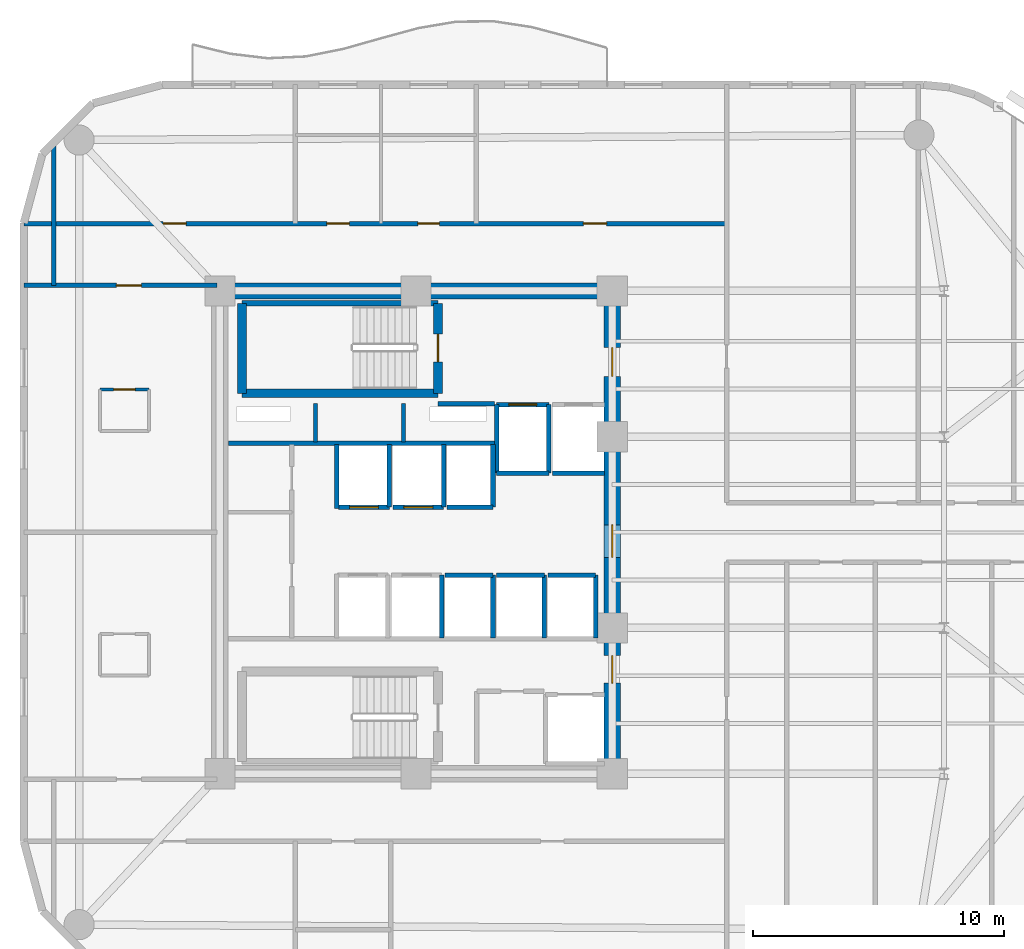
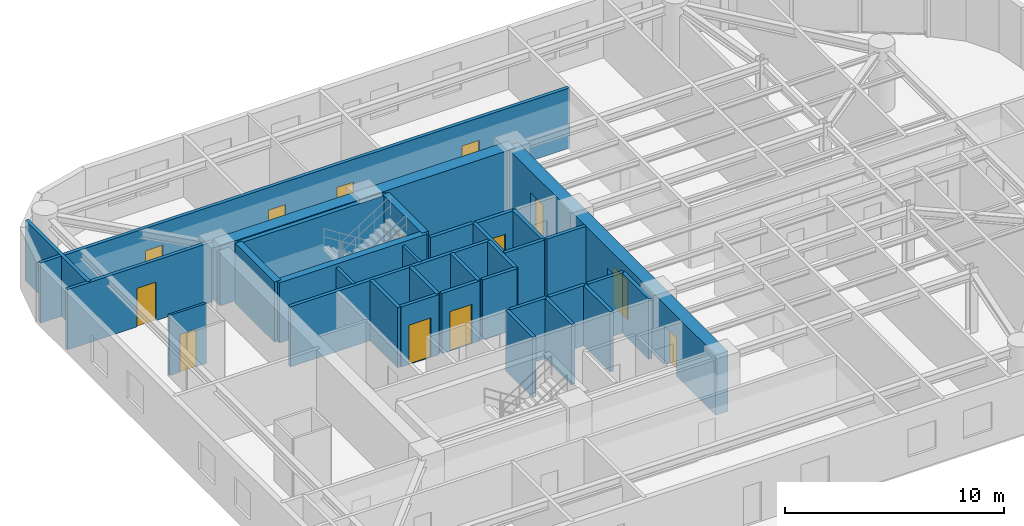
# One storey, part 11 of 15: 33 walls, 13 doors, 13 openings.
"""IFC4 building model written with IfcOpenShell, lengths in metres."""

import ifcopenshell
import ifcopenshell.guid

model = None  # the IFC model being written
_history = None  # IfcOwnerHistory: only IFC2X3 demands one
_inside = {}  # id of a spatial element -> (the spatial element, [elements in it])
_under = {}  # id of a project, library or spatial element -> (it, [spatial elements below it])
_declared = {}  # id of a project -> (the project, [libraries it declares])
_typed = {}  # id of a type object -> (the type object, [elements of that type])
_made_of = {}  # id of a material, layer set ... -> (it, [elements and type objects made of it])


def new_model(schema):
    """Start an empty IFC model of exactly this schema.

    Asked for "IFC4X3", IfcOpenShell would pick the latest addendum, in which some entities
    have other attributes; the version numbers below select the first issue.
    IFC2X3 requires an IfcOwnerHistory on every rooted entity: one is made here for all.
    """
    global model, _history
    if schema == "IFC4X3":
        model = ifcopenshell.file(schema_version=(4, 3, 0, 0))
    else:
        model = ifcopenshell.file(schema=schema)
    _inside.clear()
    _under.clear()
    _declared.clear()
    _typed.clear()
    _made_of.clear()
    _history = None
    if model.schema == "IFC2X3":
        org = make("IfcOrganization", Name="unknown")
        user = make(
            "IfcPersonAndOrganization",
            ThePerson=make("IfcPerson", FamilyName="unknown"),
            TheOrganization=org,
        )
        app = make(
            "IfcApplication",
            ApplicationDeveloper=org,
            Version="unknown",
            ApplicationFullName="unknown",
            ApplicationIdentifier="unknown",
        )
        _history = make(
            "IfcOwnerHistory",
            OwningUser=user,
            OwningApplication=app,
            ChangeAction="ADDED",
            CreationDate=0,
        )
    return model


def make(cls, **values):
    """One entity of the class cls with the attributes given. An attribute that is None is left unset."""
    return model.create_entity(
        cls, **{name: value for name, value in values.items() if value is not None}
    )


def rooted(cls, **values):
    """An entity with a GlobalId (a new one), such as an element, a storey or a relation."""
    return make(cls, GlobalId=ifcopenshell.guid.new(), OwnerHistory=_history, **values)


def si_unit(unit_type, name, prefix=None):
    """IfcSIUnit, for example si_unit("LENGTHUNIT", "METRE", prefix="MILLI")."""
    return make("IfcSIUnit", UnitType=unit_type, Prefix=prefix, Name=name)


def assignment(units):
    """IfcUnitAssignment: the units of a project."""
    return None if units is None else make("IfcUnitAssignment", Units=units)


def point(xyz):
    """IfcCartesianPoint."""
    return None if xyz is None else make("IfcCartesianPoint", Coordinates=xyz)


def direction(xyz):
    """IfcDirection."""
    return None if xyz is None else make("IfcDirection", DirectionRatios=xyz)


def frame(location, z_axis=None, x_axis=None):
    """IfcAxis2Placement3D, a coordinate frame: its origin and axes. An axis left out is left unset."""
    return make(
        "IfcAxis2Placement3D",
        Location=point(location),
        Axis=direction(z_axis),
        RefDirection=direction(x_axis),
    )


def frame_2d(location, x_axis=None):
    """IfcAxis2Placement2D, a coordinate frame in the plane: its origin and x axis."""
    return make(
        "IfcAxis2Placement2D", Location=point(location), RefDirection=direction(x_axis)
    )


def origin():
    """The frame at (0, 0, 0) with its axes left unset."""
    return frame((0.0, 0.0, 0.0))


def place(relative_to, where):
    """IfcLocalPlacement: puts the frame where relative to a parent placement (None: the world)."""
    return make(
        "IfcLocalPlacement", PlacementRelTo=relative_to, RelativePlacement=where
    )


def context(
    kind, dimensions, precision=None, world=None, true_north=None, identifier=None
):
    """IfcGeometricRepresentationContext, for example the 3D "Model" context."""
    return make(
        "IfcGeometricRepresentationContext",
        ContextIdentifier=identifier,
        ContextType=kind,
        CoordinateSpaceDimension=dimensions,
        Precision=precision,
        WorldCoordinateSystem=world,
        TrueNorth=true_north,
    )


def subcontext(parent, identifier, kind, view, scale=None):
    """IfcGeometricRepresentationSubContext, for example "Body" below "Model"."""
    return make(
        "IfcGeometricRepresentationSubContext",
        ContextIdentifier=identifier,
        ContextType=kind,
        ParentContext=parent,
        TargetScale=scale,
        TargetView=view,
    )


def project(units=None, contexts=None):
    """IfcProject with its units and contexts."""
    return rooted(
        "IfcProject",
        Name="project",
        RepresentationContexts=contexts,
        UnitsInContext=assignment(units),
    )


def spatial(cls, under=None, at=None, **own):
    """A site, building, storey or space (cls), placed at a placement, below another one or the project."""
    s = rooted(cls, ObjectPlacement=at, **own)
    if under is not None:
        _under.setdefault(under.id(), (under, []))[1].append(s)
    return s


def profile(cls, at=None, kind="AREA", **sizes):
    """A parametric profile (cls). Its sizes go by their IFC names, for example OverallWidth=200.0."""
    return make(cls, ProfileType=kind, Position=at, **sizes)


def rectangle(**sizes):
    """IfcRectangleProfileDef."""
    return profile("IfcRectangleProfileDef", **sizes)


def extrude(swept, where, along, depth):
    """IfcExtrudedAreaSolid: the profile swept, set in the frame where, extruded along a direction by depth."""
    return make(
        "IfcExtrudedAreaSolid",
        SweptArea=swept,
        Position=where,
        ExtrudedDirection=direction(along),
        Depth=depth,
    )


def shape(context_of_items, identifier, shape_type, items):
    """IfcShapeRepresentation: the items that make up one representation, for example the "Body"."""
    return make(
        "IfcShapeRepresentation",
        ContextOfItems=context_of_items,
        RepresentationIdentifier=identifier,
        RepresentationType=shape_type,
        Items=items,
    )


def material(Name=None, Category=None):
    """IfcMaterial."""
    return make("IfcMaterial", Name=Name, Category=Category)


def layer(
    of_material, thickness, ventilated=None, Name=None, Category=None, Priority=None
):
    """IfcMaterialLayer: one layer of a wall or slab, of a material (None: an air gap)."""
    return make(
        "IfcMaterialLayer",
        Material=of_material,
        LayerThickness=thickness,
        IsVentilated=ventilated,
        Name=Name,
        Category=Category,
        Priority=Priority,
    )


def layer_set(layers, Name=None):
    """IfcMaterialLayerSet."""
    return make("IfcMaterialLayerSet", MaterialLayers=layers, LayerSetName=Name)


def made_of(thing, what):
    """Note that an element or type object is made of a material, layer set ...; save() writes the relation."""
    if what is not None:
        _made_of.setdefault(what.id(), (what, []))[1].append(thing)
    return thing


def type_object(cls, material=None, **own):
    """A type object (cls), such as IfcWallType, which elements share."""
    return made_of(rooted(cls, **own), material)


def element(
    cls,
    number,
    at=None,
    inside=None,
    cuts=None,
    type_object=None,
    material=None,
    context=None,
    identifier="Body",
    shape_type=None,
    held_by="IfcProductDefinitionShape",
    body=None,
    shapes=None,
    **own,
):
    """One element of the class cls, such as IfcWall. Its Tag is "e" and its number.

    at: its placement. inside: the storey or other place that contains it. cuts: it is an
    opening in that element (IfcRelVoidsElement). A single representation is given by context,
    identifier, shape_type and body (its items); several are given by shapes. held_by: the class
    of the entity that holds the representations. save() writes the other relations.
    """
    e = rooted(cls, Tag="e%d" % number, ObjectPlacement=at, **own)
    if body is not None:
        shapes = [shape(context, identifier, shape_type, body)]
    if shapes is not None:
        e.Representation = make(held_by, Representations=shapes)
    if inside is not None:
        _inside.setdefault(inside.id(), (inside, []))[1].append(e)
    if cuts is not None:
        rooted(
            "IfcRelVoidsElement", RelatingBuildingElement=cuts, RelatedOpeningElement=e
        )
    if type_object is not None:
        _typed.setdefault(type_object.id(), (type_object, []))[1].append(e)
    return made_of(e, material)


def fill(opening, filler):
    """IfcRelFillsElement: the door or window that sits in an opening."""
    return rooted(
        "IfcRelFillsElement",
        RelatingOpeningElement=opening,
        RelatedBuildingElement=filler,
    )


def aggregate(whole, parts):
    """IfcRelAggregates: a whole, such as a stair, and the parts it consists of."""
    return rooted("IfcRelAggregates", RelatingObject=whole, RelatedObjects=parts)


def save(model, path):
    """Write the relations noted so far, then the file.

    IfcRelAggregates (storeys below a building ...), IfcRelContainedInSpatialStructure (elements
    in a storey), IfcRelDefinesByType, IfcRelAssociatesMaterial and IfcRelDeclares: one each for
    every whole, place, type object, material and project.
    """
    for whole, parts in _under.values():
        aggregate(whole, parts)
    for where, things in _inside.values():
        rooted(
            "IfcRelContainedInSpatialStructure",
            RelatedElements=things,
            RelatingStructure=where,
        )
    for kind, things in _typed.values():
        rooted("IfcRelDefinesByType", RelatedObjects=things, RelatingType=kind)
    for what, things in _made_of.values():
        rooted("IfcRelAssociatesMaterial", RelatedObjects=things, RelatingMaterial=what)
    for by, libraries in _declared.values():
        rooted("IfcRelDeclares", RelatingContext=by, RelatedDefinitions=libraries)
    model.write(path)


model = new_model("IFC4")

# Units and contexts
model_context = context("Model", 3, precision=1e-05, world=origin(), true_north=direction((0.0, 1.0)))
body_context = subcontext(model_context, "Body", "Model", "MODEL_VIEW")
ifc_project = project(units=[si_unit("LENGTHUNIT", "METRE"), si_unit("AREAUNIT", "SQUARE_METRE"), si_unit("VOLUMEUNIT", "CUBIC_METRE"), si_unit("PLANEANGLEUNIT", "RADIAN"), si_unit("MASSUNIT", "GRAM", prefix="KILO")], contexts=[model_context])

# Site, building, storey
site_placement = place(None, origin())
site = spatial("IfcSite", under=ifc_project, at=site_placement, CompositionType="ELEMENT")
building_placement = place(site_placement, origin())
building = spatial("IfcBuilding", under=site, at=building_placement, Name="An Khanh Terracotta Commons", CompositionType="ELEMENT")
storey_placement = place(building_placement, frame((0.0, 0.0, 187.0)))
storey = spatial("IfcBuildingStorey", under=building, at=storey_placement, Name="L49", CompositionType="ELEMENT", Elevation=187.0)

# Wall
ifc_material_1 = material(Name="Concrete C60/75", Category="concrete")
ifc_layer_1 = layer(ifc_material_1, 0.64990234375, Name="Concrete C60/75")
ifc_layer_set_1 = layer_set([ifc_layer_1], Name="Concrete C60/75")
wall_type_1 = type_object("IfcWallType", Name="WALL-CORE-650", PredefinedType="SHEAR", material=ifc_layer_set_1)
wall_1_placement = place(storey_placement, frame((21.60009765625, 33.60009765625, 0.0), z_axis=(0.0, 0.0, 1.0), x_axis=(1.0, 0.0, 0.0)))
element("IfcWall", 1, at=wall_1_placement, inside=storey, type_object=wall_type_1, Name="L49 Core Wall CWALL-L49-N", PredefinedType="SHEAR", context=body_context, shape_type="SweptSolid", body=[
    extrude(rectangle(XDim=15.599853515625, YDim=0.64990234375, at=frame_2d((7.7998046875, 0.0))), origin(), (0.0, 0.0, 1.0), 3.360107421875),
])

# Wall, openings, doors
wall_2_placement = place(storey_placement, frame((37.199951171875, 14.39990234375, 0.0), z_axis=(0.0, 0.0, 1.0), x_axis=(0.0, 1.0, 0.0)))
wall_2 = element("IfcWall", 2, at=wall_2_placement, inside=storey, type_object=wall_type_1, Name="L49 Core Wall CWALL-L49-E", PredefinedType="SHEAR", context=body_context, shape_type="SweptSolid", body=[
    extrude(rectangle(XDim=19.2001953125, YDim=0.64990234375, at=frame_2d((9.60009765625, 0.0))), origin(), (0.0, 0.0, 1.0), 3.360107421875),
])
opening_1_placement = place(wall_2_placement, frame((15.800048828125, 0.0, 0.0)))
opening_1 = element("IfcOpeningElement", 3, at=opening_1_placement, cuts=wall_2, Name="Opening D-FFL", PredefinedType="OPENING", context=body_context, shape_type="SweptSolid", body=[
    extrude(rectangle(XDim=1.14990234375, YDim=2.14990234375, at=frame_2d((0.574951171875, 1.074951171875))), frame((0.0, 0.3349609375, 0.0), z_axis=(0.0, -1.0, 0.0), x_axis=(1.0, 0.0, 0.0)), (0.0, 0.0, 1.0), 0.669921875),
])
opening_2_placement = place(wall_2_placement, frame((3.60009765625, 0.0, 0.0)))
opening_2 = element("IfcOpeningElement", 4, at=opening_2_placement, cuts=wall_2, Name="Opening D-ST", PredefinedType="OPENING", context=body_context, shape_type="SweptSolid", body=[
    extrude(rectangle(XDim=1.10009765625, YDim=2.14990234375, at=frame_2d((0.550048828125, 1.074951171875))), frame((0.0, 0.3349609375, 0.0), z_axis=(0.0, -1.0, 0.0), x_axis=(1.0, 0.0, 0.0)), (0.0, 0.0, 1.0), 0.669921875),
])
opening_3_placement = place(wall_2_placement, frame((8.60009765625, 0.0, 0.0)))
opening_3 = element("IfcOpeningElement", 5, at=opening_3_placement, cuts=wall_2, Name="Opening D-COR", PredefinedType="OPENING", context=body_context, shape_type="SweptSolid", body=[
    extrude(rectangle(XDim=1.300048828125, YDim=2.199951171875, at=frame_2d((0.64990234375, 1.10009765625))), frame((0.0, 0.3349609375, 0.0), z_axis=(0.0, -1.0, 0.0), x_axis=(1.0, 0.0, 0.0)), (0.0, 0.0, 1.0), 0.669921875),
])
ifc_material_2 = material(Name="Fire-Rated Glazed Steel Double Door", Category="steel")
door_type_1 = type_object("IfcDoorType", Name="DOOR-CORR-1300", OperationType="NOTDEFINED", PredefinedType="DOOR", material=ifc_material_2)
door_1_placement = place(opening_3_placement, origin())
door_1 = element("IfcDoor", 6, at=door_1_placement, inside=storey, type_object=door_type_1, Name="L49 Passenger Lift Lobby Double Door", OperationType="DOUBLE_DOOR_SINGLE_SWING", OverallHeight=2.199951171875, OverallWidth=1.300048828125, PredefinedType="DOOR", context=body_context, shape_type="SweptSolid", body=[
    extrude(rectangle(XDim=1.300048828125, YDim=2.199951171875, at=frame_2d((0.64990234375, 1.10009765625))), frame((0.0, 0.02490234375, 0.0), z_axis=(0.0, -1.0, 0.0), x_axis=(1.0, 0.0, 0.0)), (0.0, 0.0, 1.0), 0.050048828125),
])
fill(opening_3, door_1)
ifc_material_3 = material(Name="Fire-Rated Steel Leaf and Vision Panel", Category="steel")
door_type_2 = type_object("IfcDoorType", Name="DOOR-FFL-1150", OperationType="NOTDEFINED", PredefinedType="DOOR", material=ifc_material_3)
door_2_placement = place(opening_1_placement, origin())
door_2 = element("IfcDoor", 7, at=door_2_placement, inside=storey, type_object=door_type_2, Name="L49 Firefighting Lift Lobby Fire Door", OperationType="SINGLE_SWING_RIGHT", OverallHeight=2.14990234375, OverallWidth=1.14990234375, PredefinedType="DOOR", context=body_context, shape_type="SweptSolid", body=[
    extrude(rectangle(XDim=1.14990234375, YDim=2.14990234375, at=frame_2d((0.574951171875, 1.074951171875))), frame((0.0, 0.02490234375, 0.0), z_axis=(0.0, -1.0, 0.0), x_axis=(1.0, 0.0, 0.0)), (0.0, 0.0, 1.0), 0.050048828125),
])
fill(opening_1, door_2)
ifc_material_4 = material(Name="Fire-Rated Steel Leaf and Frame", Category="steel")
door_type_3 = type_object("IfcDoorType", Name="DOOR-STAIR-1100", OperationType="NOTDEFINED", PredefinedType="DOOR", material=ifc_material_4)
door_3_placement = place(opening_2_placement, origin())
door_3 = element("IfcDoor", 8, at=door_3_placement, inside=storey, type_object=door_type_3, Name="L49 South Stair Lobby Fire Door", OperationType="SINGLE_SWING_LEFT", OverallHeight=2.14990234375, OverallWidth=1.10009765625, PredefinedType="DOOR", context=body_context, shape_type="SweptSolid", body=[
    extrude(rectangle(XDim=1.10009765625, YDim=2.14990234375, at=frame_2d((0.550048828125, 1.074951171875))), frame((0.0, 0.02490234375, 0.0), z_axis=(0.0, -1.0, 0.0), x_axis=(1.0, 0.0, 0.0)), (0.0, 0.0, 1.0), 0.050048828125),
])
fill(opening_2, door_3)

# Walls
ifc_material_5 = material(Name="Fire-Rated Gypsum Board on Steel Stud", Category="steel")
ifc_layer_2 = layer(ifc_material_5, 0.179931640625, Name="Fire-Rated Gypsum Board on Steel Stud")
ifc_layer_set_2 = layer_set([ifc_layer_2], Name="Fire-Rated Gypsum Board on Steel Stud")
wall_type_2 = type_object("IfcWallType", Name="WALL-CORR-180", PredefinedType="PARTITIONING", material=ifc_layer_set_2)
wall_3_placement = place(storey_placement, frame((30.27001953125, 29.1201171875, 0.0), z_axis=(0.0, 0.0, 1.0), x_axis=(1.0, 0.0, 0.0)))
element("IfcWall", 9, at=wall_3_placement, inside=storey, type_object=wall_type_2, Name="L49 Core Wall FFLW-L49-S", PredefinedType="PARTITIONING", context=body_context, shape_type="SweptSolid", body=[
    extrude(rectangle(XDim=2.239990234375, YDim=0.179931640625, at=frame_2d((1.1201171875, 0.0))), origin(), (0.0, 0.0, 1.0), 3.360107421875),
])
wall_4_placement = place(storey_placement, frame((21.949951171875, 27.5400390625, 0.0), z_axis=(0.0, 0.0, 1.0), x_axis=(1.0, 0.0, 0.0)))
element("IfcWall", 10, at=wall_4_placement, inside=storey, type_object=wall_type_2, Name="L49 Core Wall RSRW-L49-S", PredefinedType="PARTITIONING", context=body_context, shape_type="SweptSolid", body=[
    extrude(rectangle(XDim=10.56005859375, YDim=0.179931640625, at=frame_2d((5.280029296875, 0.0))), origin(), (0.0, 0.0, 1.0), 3.360107421875),
])

# Wall, opening, door
wall_5_placement = place(storey_placement, frame((32.60009765625, 29.080078125, 0.0), z_axis=(0.0, 0.0, 1.0), x_axis=(1.0, 0.0, 0.0)))
wall_5 = element("IfcWall", 11, at=wall_5_placement, inside=storey, type_object=wall_type_2, Name="L49 Core Wall LSH-L49-FFL-01-N", PredefinedType="PARTITIONING", context=body_context, shape_type="SweptSolid", body=[
    extrude(rectangle(XDim=2.079833984375, YDim=0.179931640625, at=frame_2d((1.0400390625, 0.0))), origin(), (0.0, 0.0, 1.0), 3.360107421875),
])
opening_4_placement = place(wall_5_placement, frame((0.489990234375, 0.0, 0.0)))
opening_4 = element("IfcOpeningElement", 12, at=opening_4_placement, cuts=wall_5, Name="Opening LD-FFL-01-L49", PredefinedType="OPENING", context=body_context, shape_type="SweptSolid", body=[
    extrude(rectangle(XDim=1.10009765625, YDim=2.199951171875, at=frame_2d((0.550048828125, 1.10009765625))), frame((0.0, 0.099853515625, 0.0), z_axis=(0.0, -1.0, 0.0), x_axis=(1.0, 0.0, 0.0)), (0.0, 0.0, 1.0), 0.199951171875),
])
ifc_material_6 = material(Name="Brushed Stainless Steel Fire Landing Door", Category="steel")
door_type_4 = type_object("IfcDoorType", Name="DOOR-LD-FFL-1100", OperationType="NOTDEFINED", PredefinedType="DOOR", material=ifc_material_6)
door_4_placement = place(opening_4_placement, origin())
door_4 = element("IfcDoor", 13, at=door_4_placement, inside=storey, type_object=door_type_4, Name="L49 Lift FFL-01 Sliding Landing Door", OperationType="DOUBLE_DOOR_SLIDING", OverallHeight=2.199951171875, OverallWidth=1.10009765625, PredefinedType="DOOR", context=body_context, shape_type="SweptSolid", body=[
    extrude(rectangle(XDim=1.10009765625, YDim=2.199951171875, at=frame_2d((0.550048828125, 1.10009765625))), frame((0.0, 0.02490234375, 0.0), z_axis=(0.0, -1.0, 0.0), x_axis=(1.0, 0.0, 0.0)), (0.0, 0.0, 1.0), 0.050048828125),
])
fill(opening_4, door_4)

# Walls
wall_6_placement = place(storey_placement, frame((34.679931640625, 26.35009765625, 0.0), z_axis=(0.0, 0.0, 1.0), x_axis=(-1.0, 0.0, 0.0)))
element("IfcWall", 14, at=wall_6_placement, inside=storey, type_object=wall_type_2, Name="L49 Core Wall LSH-L49-FFL-01-S", PredefinedType="PARTITIONING", context=body_context, shape_type="SweptSolid", body=[
    extrude(rectangle(XDim=2.079833984375, YDim=0.179931640625, at=frame_2d((1.0400390625, 0.0))), origin(), (0.0, 0.0, 1.0), 3.360107421875),
])
for number, where, z_axis, x_axis, name in (
    (15, (34.679931640625, 26.35009765625, 0.0), (0.0, 0.0, 1.0), (0.0, 1.0, 0.0), "L49 Core Wall LSH-L49-FFL-01-E"),
    (16, (32.60009765625, 29.080078125, 0.0), (0.0, 0.0, 1.0), (0.0, -1.0, 0.0), "L49 Core Wall LSH-L49-FFL-01-W"),
):
    element("IfcWall", number, at=place(storey_placement, frame(where, z_axis=z_axis, x_axis=x_axis)), inside=storey, type_object=wall_type_2, Name=name, PredefinedType="PARTITIONING", context=body_context, shape_type="SweptSolid", body=[
        extrude(rectangle(XDim=2.72998046875, YDim=0.179931640625, at=frame_2d((1.364990234375, 0.0))), origin(), (0.0, 0.0, 1.0), 3.360107421875),
    ])
wall_7_placement = place(storey_placement, frame((36.89990234375, 26.35009765625, 0.0), z_axis=(0.0, 0.0, 1.0), x_axis=(-1.0, 0.0, 0.0)))
element("IfcWall", 17, at=wall_7_placement, inside=storey, type_object=wall_type_2, Name="L49 Core Wall LSH-L49-FFL-02-S", PredefinedType="PARTITIONING", context=body_context, shape_type="SweptSolid", body=[
    extrude(rectangle(XDim=2.079833984375, YDim=0.179931640625, at=frame_2d((1.0400390625, 0.0))), origin(), (0.0, 0.0, 1.0), 3.360107421875),
])

# Wall, opening, door
wall_8_placement = place(storey_placement, frame((28.340087890625, 25.0, 0.0), z_axis=(0.0, 0.0, 1.0), x_axis=(-1.0, 0.0, 0.0)))
wall_8 = element("IfcWall", 18, at=wall_8_placement, inside=storey, type_object=wall_type_2, Name="L49 Core Wall LSH-L49-PL-M1-S", PredefinedType="PARTITIONING", context=body_context, shape_type="SweptSolid", body=[
    extrude(rectangle(XDim=2.02001953125, YDim=0.179931640625, at=frame_2d((1.010009765625, 0.0))), origin(), (0.0, 0.0, 1.0), 3.360107421875),
])
opening_5_placement = place(wall_8_placement, frame((0.43505859375, 0.0, 0.0)))
opening_5 = element("IfcOpeningElement", 19, at=opening_5_placement, cuts=wall_8, Name="Opening LD-PL-M1-L49", PredefinedType="OPENING", context=body_context, shape_type="SweptSolid", body=[
    extrude(rectangle(XDim=1.14990234375, YDim=2.199951171875, at=frame_2d((0.574951171875, 1.10009765625))), frame((0.0, 0.099853515625, 0.0), z_axis=(0.0, -1.0, 0.0), x_axis=(1.0, 0.0, 0.0)), (0.0, 0.0, 1.0), 0.199951171875),
])
ifc_material_7 = material(Name="Brushed Stainless Steel Passenger Landing Door", Category="steel")
door_type_5 = type_object("IfcDoorType", Name="DOOR-LD-PAX-1150", OperationType="NOTDEFINED", PredefinedType="DOOR", material=ifc_material_7)
door_5_placement = place(opening_5_placement, origin())
door_5 = element("IfcDoor", 20, at=door_5_placement, inside=storey, type_object=door_type_5, Name="L49 Lift PL-M1 Sliding Landing Door", OperationType="DOUBLE_DOOR_SLIDING", OverallHeight=2.199951171875, OverallWidth=1.14990234375, PredefinedType="DOOR", context=body_context, shape_type="SweptSolid", body=[
    extrude(rectangle(XDim=1.14990234375, YDim=2.199951171875, at=frame_2d((0.574951171875, 1.10009765625))), frame((0.0, 0.02490234375, 0.0), z_axis=(0.0, -1.0, 0.0), x_axis=(1.0, 0.0, 0.0)), (0.0, 0.0, 1.0), 0.050048828125),
])
fill(opening_5, door_5)

# Wall
wall_9_placement = place(storey_placement, frame((28.340087890625, 25.0, 0.0), z_axis=(0.0, 0.0, 1.0), x_axis=(0.0, 1.0, 0.0)))
element("IfcWall", 21, at=wall_9_placement, inside=storey, type_object=wall_type_2, Name="L49 Core Wall LSH-L49-PL-M1-E", PredefinedType="PARTITIONING", context=body_context, shape_type="SweptSolid", body=[
    extrude(rectangle(XDim=2.5, YDim=0.179931640625, at=frame_2d((1.25, 0.0))), origin(), (0.0, 0.0, 1.0), 3.360107421875),
])

# Wall, opening, door
wall_10_placement = place(storey_placement, frame((30.5, 25.0, 0.0), z_axis=(0.0, 0.0, 1.0), x_axis=(-1.0, 0.0, 0.0)))
wall_10 = element("IfcWall", 22, at=wall_10_placement, inside=storey, type_object=wall_type_2, Name="L49 Core Wall LSH-L49-PL-M2-S", PredefinedType="PARTITIONING", context=body_context, shape_type="SweptSolid", body=[
    extrude(rectangle(XDim=2.02001953125, YDim=0.179931640625, at=frame_2d((1.010009765625, 0.0))), origin(), (0.0, 0.0, 1.0), 3.360107421875),
])
opening_6_placement = place(wall_10_placement, frame((0.43505859375, 0.0, 0.0)))
opening_6 = element("IfcOpeningElement", 23, at=opening_6_placement, cuts=wall_10, Name="Opening LD-PL-M2-L49", PredefinedType="OPENING", context=body_context, shape_type="SweptSolid", body=[
    extrude(rectangle(XDim=1.14990234375, YDim=2.199951171875, at=frame_2d((0.574951171875, 1.10009765625))), frame((0.0, 0.099853515625, 0.0), z_axis=(0.0, -1.0, 0.0), x_axis=(1.0, 0.0, 0.0)), (0.0, 0.0, 1.0), 0.199951171875),
])
door_6_placement = place(opening_6_placement, origin())
door_6 = element("IfcDoor", 24, at=door_6_placement, inside=storey, type_object=door_type_5, Name="L49 Lift PL-M2 Sliding Landing Door", OperationType="DOUBLE_DOOR_SLIDING", OverallHeight=2.199951171875, OverallWidth=1.14990234375, PredefinedType="DOOR", context=body_context, shape_type="SweptSolid", body=[
    extrude(rectangle(XDim=1.14990234375, YDim=2.199951171875, at=frame_2d((0.574951171875, 1.10009765625))), frame((0.0, 0.02490234375, 0.0), z_axis=(0.0, -1.0, 0.0), x_axis=(1.0, 0.0, 0.0)), (0.0, 0.0, 1.0), 0.050048828125),
])
fill(opening_6, door_6)

# Walls
for number, where, z_axis, x_axis, name in (
    (25, (30.5, 25.0, 0.0), (0.0, 0.0, 1.0), (0.0, 1.0, 0.0), "L49 Core Wall LSH-L49-PL-M2-E"),
    (26, (30.419921875, 19.800048828125, 0.0), (0.0, 0.0, 1.0), (0.0, 1.0, 0.0), "L49 Core Wall LSH-L49-PL-M4-E"),
):
    element("IfcWall", number, at=place(storey_placement, frame(where, z_axis=z_axis, x_axis=x_axis)), inside=storey, type_object=wall_type_2, Name=name, PredefinedType="PARTITIONING", context=body_context, shape_type="SweptSolid", body=[
        extrude(rectangle(XDim=2.5, YDim=0.179931640625, at=frame_2d((1.25, 0.0))), origin(), (0.0, 0.0, 1.0), 3.360107421875),
    ])
wall_11_placement = place(storey_placement, frame((32.4599609375, 25.0, 0.0), z_axis=(0.0, 0.0, 1.0), x_axis=(-1.0, 0.0, 0.0)))
element("IfcWall", 27, at=wall_11_placement, inside=storey, type_object=wall_type_2, Name="L49 Core Wall LSH-L49-PL-H1-S", PredefinedType="PARTITIONING", context=body_context, shape_type="SweptSolid", body=[
    extrude(rectangle(XDim=1.820068359375, YDim=0.179931640625, at=frame_2d((0.91015625, 0.0))), origin(), (0.0, 0.0, 1.0), 3.360107421875),
])
wall_12_placement = place(storey_placement, frame((32.4599609375, 25.0, 0.0), z_axis=(0.0, 0.0, 1.0), x_axis=(0.0, 1.0, 0.0)))
element("IfcWall", 28, at=wall_12_placement, inside=storey, type_object=wall_type_2, Name="L49 Core Wall LSH-L49-PL-H1-E", PredefinedType="PARTITIONING", context=body_context, shape_type="SweptSolid", body=[
    extrude(rectangle(XDim=2.5, YDim=0.179931640625, at=frame_2d((1.25, 0.0))), origin(), (0.0, 0.0, 1.0), 3.360107421875),
])
wall_13_placement = place(storey_placement, frame((30.56005859375, 22.300048828125, 0.0), z_axis=(0.0, 0.0, 1.0), x_axis=(1.0, 0.0, 0.0)))
element("IfcWall", 29, at=wall_13_placement, inside=storey, type_object=wall_type_2, Name="L49 Core Wall LSH-L49-PL-H2-N", PredefinedType="PARTITIONING", context=body_context, shape_type="SweptSolid", body=[
    extrude(rectangle(XDim=1.89990234375, YDim=0.179931640625, at=frame_2d((0.949951171875, 0.0))), origin(), (0.0, 0.0, 1.0), 3.360107421875),
])
wall_14_placement = place(storey_placement, frame((32.4599609375, 19.800048828125, 0.0), z_axis=(0.0, 0.0, 1.0), x_axis=(0.0, 1.0, 0.0)))
element("IfcWall", 30, at=wall_14_placement, inside=storey, type_object=wall_type_2, Name="L49 Core Wall LSH-L49-PL-H2-E", PredefinedType="PARTITIONING", context=body_context, shape_type="SweptSolid", body=[
    extrude(rectangle(XDim=2.5, YDim=0.179931640625, at=frame_2d((1.25, 0.0))), origin(), (0.0, 0.0, 1.0), 3.360107421875),
])
wall_15_placement = place(storey_placement, frame((32.60009765625, 22.300048828125, 0.0), z_axis=(0.0, 0.0, 1.0), x_axis=(1.0, 0.0, 0.0)))
element("IfcWall", 31, at=wall_15_placement, inside=storey, type_object=wall_type_2, Name="L49 Core Wall LSH-L49-PL-H3-N", PredefinedType="PARTITIONING", context=body_context, shape_type="SweptSolid", body=[
    extrude(rectangle(XDim=1.89990234375, YDim=0.179931640625, at=frame_2d((0.949951171875, 0.0))), origin(), (0.0, 0.0, 1.0), 3.360107421875),
])
wall_16_placement = place(storey_placement, frame((34.5, 19.800048828125, 0.0), z_axis=(0.0, 0.0, 1.0), x_axis=(0.0, 1.0, 0.0)))
element("IfcWall", 32, at=wall_16_placement, inside=storey, type_object=wall_type_2, Name="L49 Core Wall LSH-L49-PL-H3-E", PredefinedType="PARTITIONING", context=body_context, shape_type="SweptSolid", body=[
    extrude(rectangle(XDim=2.5, YDim=0.179931640625, at=frame_2d((1.25, 0.0))), origin(), (0.0, 0.0, 1.0), 3.360107421875),
])
wall_17_placement = place(storey_placement, frame((34.639892578125, 22.300048828125, 0.0), z_axis=(0.0, 0.0, 1.0), x_axis=(1.0, 0.0, 0.0)))
element("IfcWall", 33, at=wall_17_placement, inside=storey, type_object=wall_type_2, Name="L49 Core Wall LSH-L49-PL-H4-N", PredefinedType="PARTITIONING", context=body_context, shape_type="SweptSolid", body=[
    extrude(rectangle(XDim=1.900146484375, YDim=0.179931640625, at=frame_2d((0.9501953125, 0.0))), origin(), (0.0, 0.0, 1.0), 3.360107421875),
])
wall_18_placement = place(storey_placement, frame((36.5400390625, 19.800048828125, 0.0), z_axis=(0.0, 0.0, 1.0), x_axis=(0.0, 1.0, 0.0)))
element("IfcWall", 34, at=wall_18_placement, inside=storey, type_object=wall_type_2, Name="L49 Core Wall LSH-L49-PL-H4-E", PredefinedType="PARTITIONING", context=body_context, shape_type="SweptSolid", body=[
    extrude(rectangle(XDim=2.5, YDim=0.179931640625, at=frame_2d((1.25, 0.0))), origin(), (0.0, 0.0, 1.0), 3.360107421875),
])
wall_19_placement = place(storey_placement, frame((26.25, 24.949951171875, 0.0), z_axis=(0.0, 0.0, 1.0), x_axis=(0.0, 1.0, 0.0)))
element("IfcWall", 35, at=wall_19_placement, inside=storey, type_object=wall_type_2, Name="L49 Core Wall RECW-L49-BE1", PredefinedType="PARTITIONING", context=body_context, shape_type="SweptSolid", body=[
    extrude(rectangle(XDim=2.550048828125, YDim=0.179931640625, at=frame_2d((1.27490234375, 0.0))), origin(), (0.0, 0.0, 1.0), 3.360107421875),
])

# Wall, opening, door
wall_20_placement = place(storey_placement, frame((13.800048828125, 33.820068359375, 0.0), z_axis=(0.0, 0.0, 1.0), x_axis=(1.0, 0.0, 0.0)))
wall_20 = element("IfcWall", 36, at=wall_20_placement, inside=storey, type_object=wall_type_2, Name="L49 Interior Partition IW-L49-E007", PredefinedType="PARTITIONING", context=body_context, shape_type="SweptSolid", body=[
    extrude(rectangle(XDim=7.679931640625, YDim=0.179931640625, at=frame_2d((3.83984375, 0.0))), origin(), (0.0, 0.0, 1.0), 3.360107421875),
])
opening_7_placement = place(wall_20_placement, frame((3.679931640625, 0.0, 0.0)))
opening_7 = element("IfcOpeningElement", 37, at=opening_7_placement, cuts=wall_20, Name="Opening D-UN", PredefinedType="OPENING", context=body_context, shape_type="SweptSolid", body=[
    extrude(rectangle(XDim=1.0, YDim=2.14990234375, at=frame_2d((0.5, 1.074951171875))), frame((0.0, 0.099853515625, 0.0), z_axis=(0.0, -1.0, 0.0), x_axis=(1.0, 0.0, 0.0)), (0.0, 0.0, 1.0), 0.199951171875),
])
ifc_material_8 = material(Name="Solid-Core Hardwood Acoustic Fire Door", Category="wood")
door_type_6 = type_object("IfcDoorType", Name="DOOR-UNIT-1000", OperationType="NOTDEFINED", PredefinedType="DOOR", material=ifc_material_8)
door_7_placement = place(opening_7_placement, origin())
door_7 = element("IfcDoor", 38, at=door_7_placement, inside=storey, type_object=door_type_6, Name="L49 WW2 Kitchenette and Studio Apartment Door", OperationType="SINGLE_SWING_LEFT", OverallHeight=2.14990234375, OverallWidth=1.0, PredefinedType="DOOR", context=body_context, shape_type="SweptSolid", body=[
    extrude(rectangle(XDim=1.0, YDim=2.14990234375, at=frame_2d((0.5, 1.074951171875))), frame((0.0, 0.02490234375, 0.0), z_axis=(0.0, -1.0, 0.0), x_axis=(1.0, 0.0, 0.0)), (0.0, 0.0, 1.0), 0.050048828125),
])
fill(opening_7, door_7)

# Wall, openings, doors
wall_21_placement = place(storey_placement, frame((13.800048828125, 36.280029296875, 0.0), z_axis=(0.0, 0.0, 1.0), x_axis=(1.0, 0.0, 0.0)))
wall_21 = element("IfcWall", 39, at=wall_21_placement, inside=storey, type_object=wall_type_2, Name="L49 Interior Partition IW-L49-E008", PredefinedType="PARTITIONING", context=body_context, shape_type="SweptSolid", body=[
    extrude(rectangle(XDim=27.949951171875, YDim=0.179931640625, at=frame_2d((13.97509765625, 0.0))), origin(), (0.0, 0.0, 1.0), 3.360107421875),
])
opening_8_placement = place(wall_21_placement, frame((12.050048828125, 0.0, 0.0)))
opening_8 = element("IfcOpeningElement", 40, at=opening_8_placement, cuts=wall_21, Name="Opening D-WC", PredefinedType="OPENING", context=body_context, shape_type="SweptSolid", body=[
    extrude(rectangle(XDim=0.89990234375, YDim=2.10009765625, at=frame_2d((0.449951171875, 1.050048828125))), frame((0.0, 0.099853515625, 0.0), z_axis=(0.0, -1.0, 0.0), x_axis=(1.0, 0.0, 0.0)), (0.0, 0.0, 1.0), 0.199951171875),
])
opening_9_placement = place(wall_21_placement, frame((15.669921875, 0.0, 0.0)))
opening_9 = element("IfcOpeningElement", 41, at=opening_9_placement, cuts=wall_21, Name="Opening D-ENS", PredefinedType="OPENING", context=body_context, shape_type="SweptSolid", body=[
    extrude(rectangle(XDim=0.860107421875, YDim=2.10009765625, at=frame_2d((0.43017578125, 1.050048828125))), frame((0.0, 0.099853515625, 0.0), z_axis=(0.0, -1.0, 0.0), x_axis=(1.0, 0.0, 0.0)), (0.0, 0.0, 1.0), 0.199951171875),
])
opening_10_placement = place(wall_21_placement, frame((5.5400390625, 0.0, 0.0)))
opening_10 = element("IfcOpeningElement", 42, at=opening_10_placement, cuts=wall_21, Name="Opening D-RM", PredefinedType="OPENING", context=body_context, shape_type="SweptSolid", body=[
    extrude(rectangle(XDim=0.919921875, YDim=2.10009765625, at=frame_2d((0.4599609375, 1.050048828125))), frame((0.0, 0.099853515625, 0.0), z_axis=(0.0, -1.0, 0.0), x_axis=(1.0, 0.0, 0.0)), (0.0, 0.0, 1.0), 0.199951171875),
])
opening_11_placement = place(wall_21_placement, frame((22.2548828125, 0.0, 0.0)))
opening_11 = element("IfcOpeningElement", 43, at=opening_11_placement, cuts=wall_21, Name="Opening D-RM", PredefinedType="OPENING", context=body_context, shape_type="SweptSolid", body=[
    extrude(rectangle(XDim=0.919921875, YDim=2.10009765625, at=frame_2d((0.4599609375, 1.050048828125))), frame((0.0, 0.099853515625, 0.0), z_axis=(0.0, -1.0, 0.0), x_axis=(1.0, 0.0, 0.0)), (0.0, 0.0, 1.0), 0.199951171875),
])
ifc_material_9 = material(Name="Moisture-Resistant Hardwood Timber Leaf", Category="wood")
door_type_7 = type_object("IfcDoorType", Name="DOOR-BATH-860", OperationType="NOTDEFINED", PredefinedType="DOOR", material=ifc_material_9)
door_8_placement = place(opening_9_placement, origin())
door_8 = element("IfcDoor", 44, at=door_8_placement, inside=storey, type_object=door_type_7, Name="L49 SHW Resident Shared Shower and Washroom Door", OperationType="SINGLE_SWING_RIGHT", OverallHeight=2.10009765625, OverallWidth=0.860107421875, PredefinedType="DOOR", context=body_context, shape_type="SweptSolid", body=[
    extrude(rectangle(XDim=0.860107421875, YDim=2.10009765625, at=frame_2d((0.43017578125, 1.050048828125))), frame((0.0, 0.02490234375, 0.0), z_axis=(0.0, -1.0, 0.0), x_axis=(1.0, 0.0, 0.0)), (0.0, 0.0, 1.0), 0.050048828125),
])
fill(opening_9, door_8)
ifc_material_10 = material(Name="Engineered Hardwood Timber Leaf", Category="wood")
door_type_8 = type_object("IfcDoorType", Name="DOOR-INT-920", OperationType="NOTDEFINED", PredefinedType="DOOR", material=ifc_material_10)
door_9_placement = place(opening_10_placement, origin())
door_9 = element("IfcDoor", 45, at=door_9_placement, inside=storey, type_object=door_type_8, Name="L49 NW1 Communal Kitchen and Dining Door", OperationType="SINGLE_SWING_RIGHT", OverallHeight=2.10009765625, OverallWidth=0.919921875, PredefinedType="DOOR", context=body_context, shape_type="SweptSolid", body=[
    extrude(rectangle(XDim=0.919921875, YDim=2.10009765625, at=frame_2d((0.4599609375, 1.050048828125))), frame((0.0, 0.02490234375, 0.0), z_axis=(0.0, -1.0, 0.0), x_axis=(1.0, 0.0, 0.0)), (0.0, 0.0, 1.0), 0.050048828125),
])
fill(opening_10, door_9)
door_10_placement = place(opening_11_placement, origin())
door_10 = element("IfcDoor", 46, at=door_10_placement, inside=storey, type_object=door_type_8, Name="L49 NWE Communal Kitchen and Dining Door", OperationType="SINGLE_SWING_LEFT", OverallHeight=2.10009765625, OverallWidth=0.919921875, PredefinedType="DOOR", context=body_context, shape_type="SweptSolid", body=[
    extrude(rectangle(XDim=0.919921875, YDim=2.10009765625, at=frame_2d((0.4599609375, 1.050048828125))), frame((0.0, 0.02490234375, 0.0), z_axis=(0.0, -1.0, 0.0), x_axis=(1.0, 0.0, 0.0)), (0.0, 0.0, 1.0), 0.050048828125),
])
fill(opening_11, door_10)
ifc_material_11 = material(Name="Laminate Moisture-Resistant Timber Leaf", Category="wood")
door_type_9 = type_object("IfcDoorType", Name="DOOR-WC-900", OperationType="NOTDEFINED", PredefinedType="DOOR", material=ifc_material_11)
door_11_placement = place(opening_8_placement, origin())
door_11 = element("IfcDoor", 47, at=door_11_placement, inside=storey, type_object=door_type_9, Name="L49 AWC Accessible WC Door", OperationType="SINGLE_SWING_LEFT", OverallHeight=2.10009765625, OverallWidth=0.89990234375, PredefinedType="DOOR", context=body_context, shape_type="SweptSolid", body=[
    extrude(rectangle(XDim=0.89990234375, YDim=2.10009765625, at=frame_2d((0.449951171875, 1.050048828125))), frame((0.0, 0.02490234375, 0.0), z_axis=(0.0, -1.0, 0.0), x_axis=(1.0, 0.0, 0.0)), (0.0, 0.0, 1.0), 0.050048828125),
])
fill(opening_8, door_11)

# Walls
wall_22_placement = place(storey_placement, frame((15.0, 33.820068359375, 0.0), z_axis=(0.0, 0.0, 1.0), x_axis=(0.0, 1.0, 0.0)))
element("IfcWall", 48, at=wall_22_placement, inside=storey, type_object=wall_type_2, Name="L49 Interior Partition IW-L49-E011", PredefinedType="PARTITIONING", context=body_context, shape_type="SweptSolid", body=[
    extrude(rectangle(XDim=5.69287109375, YDim=0.179931640625, at=frame_2d((2.846435546875, 0.0))), origin(), (0.0, 0.0, 1.0), 3.360107421875),
])
ifc_material_12 = material(Name="Acoustic Gypsum Board Partition")
ifc_layer_3 = layer(ifc_material_12, 0.14990234375, Name="Acoustic Gypsum Board Partition")
ifc_layer_set_3 = layer_set([ifc_layer_3], Name="Acoustic Gypsum Board Partition")
wall_type_3 = type_object("IfcWallType", Name="WALL-PART-150", PredefinedType="PARTITIONING", material=ifc_layer_set_3)
for number, where, z_axis, x_axis, name in (
    (49, (25.39990234375, 27.60009765625, 0.0), (0.0, 0.0, 1.0), (0.0, 1.0, 0.0), "L49 Core Wall RSRW-L49-D1"),
    (50, (28.89990234375, 27.60009765625, 0.0), (0.0, 0.0, 1.0), (0.0, 1.0, 0.0), "L49 Core Wall RSRW-L49-D2"),
):
    element("IfcWall", number, at=place(storey_placement, frame(where, z_axis=z_axis, x_axis=x_axis)), inside=storey, type_object=wall_type_3, Name=name, PredefinedType="PARTITIONING", context=body_context, shape_type="SweptSolid", body=[
        extrude(rectangle(XDim=1.52001953125, YDim=0.14990234375, at=frame_2d((0.760009765625, 0.0))), origin(), (0.0, 0.0, 1.0), 3.360107421875),
    ])
ifc_material_13 = material(Name="Acoustic Double-Stud Gypsum and Mineral Wool")
ifc_layer_4 = layer(ifc_material_13, 0.219970703125, Name="Acoustic Double-Stud Gypsum and Mineral Wool")
ifc_layer_set_4 = layer_set([ifc_layer_4], Name="Acoustic Double-Stud Gypsum and Mineral Wool")
wall_type_4 = type_object("IfcWallType", Name="WALL-PARTY-220", PredefinedType="PARTITIONING", material=ifc_layer_set_4)
wall_23_placement = place(storey_placement, frame((22.47998046875, 33.110107421875, 0.0), z_axis=(0.0, 0.0, 1.0), x_axis=(1.0, 0.0, 0.0)))
element("IfcWall", 51, at=wall_23_placement, inside=storey, type_object=wall_type_4, Name="L49 Core Wall STW-L49-N-N", PredefinedType="PARTITIONING", context=body_context, shape_type="SweptSolid", body=[
    extrude(rectangle(XDim=7.7900390625, YDim=0.219970703125, at=frame_2d((3.89501953125, 0.0))), origin(), (0.0, 0.0, 1.0), 3.360107421875),
])
ifc_material_14 = material(Name="Concrete C50/60", Category="concrete")
ifc_layer_5 = layer(ifc_material_14, 0.35009765625, Name="Concrete C50/60")
ifc_layer_set_5 = layer_set([ifc_layer_5], Name="Concrete C50/60")
wall_type_5 = type_object("IfcWallType", Name="WALL-SHAFT-350", PredefinedType="SOLIDWALL", material=ifc_layer_set_5)
wall_24_placement = place(storey_placement, frame((22.47998046875, 29.530029296875, 0.0), z_axis=(0.0, 0.0, 1.0), x_axis=(1.0, 0.0, 0.0)))
element("IfcWall", 52, at=wall_24_placement, inside=storey, type_object=wall_type_5, Name="L49 Core Wall STW-L49-N-S", PredefinedType="SOLIDWALL", context=body_context, shape_type="SweptSolid", body=[
    extrude(rectangle(XDim=7.7900390625, YDim=0.35009765625, at=frame_2d((3.89501953125, 0.0))), origin(), (0.0, 0.0, 1.0), 3.360107421875),
])
wall_25_placement = place(storey_placement, frame((22.47998046875, 29.530029296875, 0.0), z_axis=(0.0, 0.0, 1.0), x_axis=(0.0, 1.0, 0.0)))
element("IfcWall", 53, at=wall_25_placement, inside=storey, type_object=wall_type_5, Name="L49 Core Wall STW-L49-N-W", PredefinedType="SOLIDWALL", context=body_context, shape_type="SweptSolid", body=[
    extrude(rectangle(XDim=3.580078125, YDim=0.35009765625, at=frame_2d((1.7900390625, 0.0))), origin(), (0.0, 0.0, 1.0), 3.360107421875),
])

# Wall, opening, door
wall_26_placement = place(storey_placement, frame((30.27001953125, 29.530029296875, 0.0), z_axis=(0.0, 0.0, 1.0), x_axis=(0.0, 1.0, 0.0)))
wall_26 = element("IfcWall", 54, at=wall_26_placement, inside=storey, type_object=wall_type_5, Name="L49 Core Wall STW-L49-N-E", PredefinedType="SOLIDWALL", context=body_context, shape_type="SweptSolid", body=[
    extrude(rectangle(XDim=3.580078125, YDim=0.35009765625, at=frame_2d((1.7900390625, 0.0))), origin(), (0.0, 0.0, 1.0), 3.360107421875),
])
opening_12_placement = place(wall_26_placement, frame((1.25, 0.0, 0.0)))
opening_12 = element("IfcOpeningElement", 55, at=opening_12_placement, cuts=wall_26, Name="Opening D-ST", PredefinedType="OPENING", context=body_context, shape_type="SweptSolid", body=[
    extrude(rectangle(XDim=1.10009765625, YDim=2.14990234375, at=frame_2d((0.550048828125, 1.074951171875))), frame((0.0, 0.18505859375, 0.0), z_axis=(0.0, -1.0, 0.0), x_axis=(1.0, 0.0, 0.0)), (0.0, 0.0, 1.0), 0.3701171875),
])
door_12_placement = place(opening_12_placement, origin())
door_12 = element("IfcDoor", 56, at=door_12_placement, inside=storey, type_object=door_type_3, Name="L49 Stair ST-01 Fire Door", OperationType="SINGLE_SWING_RIGHT", OverallHeight=2.14990234375, OverallWidth=1.10009765625, PredefinedType="DOOR", context=body_context, shape_type="SweptSolid", body=[
    extrude(rectangle(XDim=1.10009765625, YDim=2.14990234375, at=frame_2d((0.550048828125, 1.074951171875))), frame((0.0, 0.02490234375, 0.0), z_axis=(0.0, -1.0, 0.0), x_axis=(1.0, 0.0, 0.0)), (0.0, 0.0, 1.0), 0.050048828125),
])
fill(opening_12, door_12)

ifc_material_15 = material(Name="Moisture-Resistant Cement Board Partition")
ifc_layer_6 = layer(ifc_material_15, 0.1201171875, Name="Moisture-Resistant Cement Board Partition")
ifc_layer_set_6 = layer_set([ifc_layer_6], Name="Moisture-Resistant Cement Board Partition")
wall_type_6 = type_object("IfcWallType", Name="WALL-WET-120", PredefinedType="PARTITIONING", material=ifc_layer_set_6)
wall_27_placement = place(storey_placement, frame((16.824951171875, 29.68505859375, 0.0), z_axis=(0.0, 0.0, 1.0), x_axis=(1.0, 0.0, 0.0)))
wall_27 = element("IfcWall", 57, at=wall_27_placement, inside=storey, type_object=wall_type_6, Name="L49 Interior Partition IW-L49-WW2-BN", PredefinedType="PARTITIONING", context=body_context, shape_type="SweptSolid", body=[
    extrude(rectangle(XDim=1.949951171875, YDim=0.1201171875, at=frame_2d((0.97509765625, 0.0))), origin(), (0.0, 0.0, 1.0), 3.360107421875),
])
opening_13_placement = place(wall_27_placement, frame((0.544921875, 0.0, 0.0)))
opening_13 = element("IfcOpeningElement", 58, at=opening_13_placement, cuts=wall_27, Name="Opening D-ENS", PredefinedType="OPENING", context=body_context, shape_type="SweptSolid", body=[
    extrude(rectangle(XDim=0.860107421875, YDim=2.10009765625, at=frame_2d((0.43017578125, 1.050048828125))), frame((0.0, 0.070068359375, 0.0), z_axis=(0.0, -1.0, 0.0), x_axis=(1.0, 0.0, 0.0)), (0.0, 0.0, 1.0), 0.14013671875),
])
door_13_placement = place(opening_13_placement, origin())
door_13 = element("IfcDoor", 59, at=door_13_placement, inside=storey, type_object=door_type_7, Name="L49 Studio WW2 En-suite Door", OperationType="SINGLE_SWING_RIGHT", OverallHeight=2.10009765625, OverallWidth=0.860107421875, PredefinedType="DOOR", context=body_context, shape_type="SweptSolid", body=[
    extrude(rectangle(XDim=0.860107421875, YDim=2.10009765625, at=frame_2d((0.43017578125, 1.050048828125))), frame((0.0, 0.02490234375, 0.0), z_axis=(0.0, -1.0, 0.0), x_axis=(1.0, 0.0, 0.0)), (0.0, 0.0, 1.0), 0.050048828125),
])
fill(opening_13, door_13)

save(model, "model.ifc")
